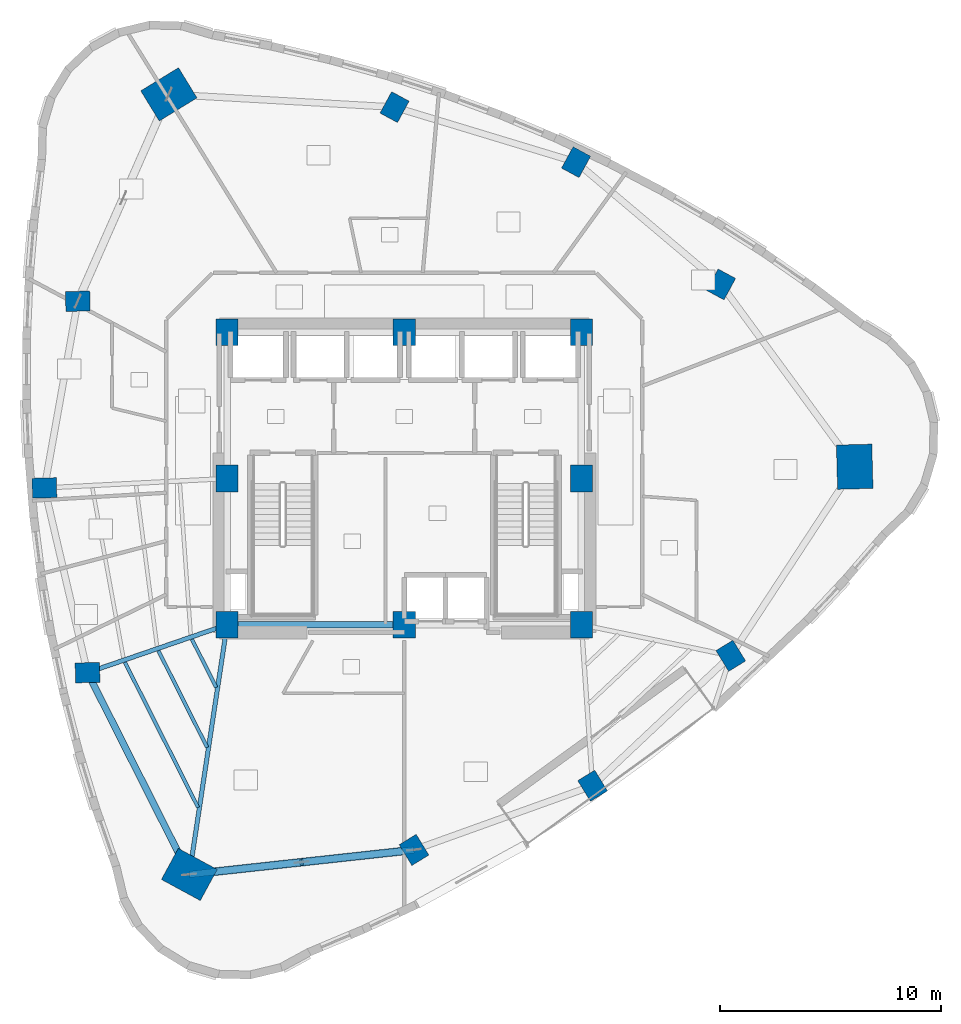
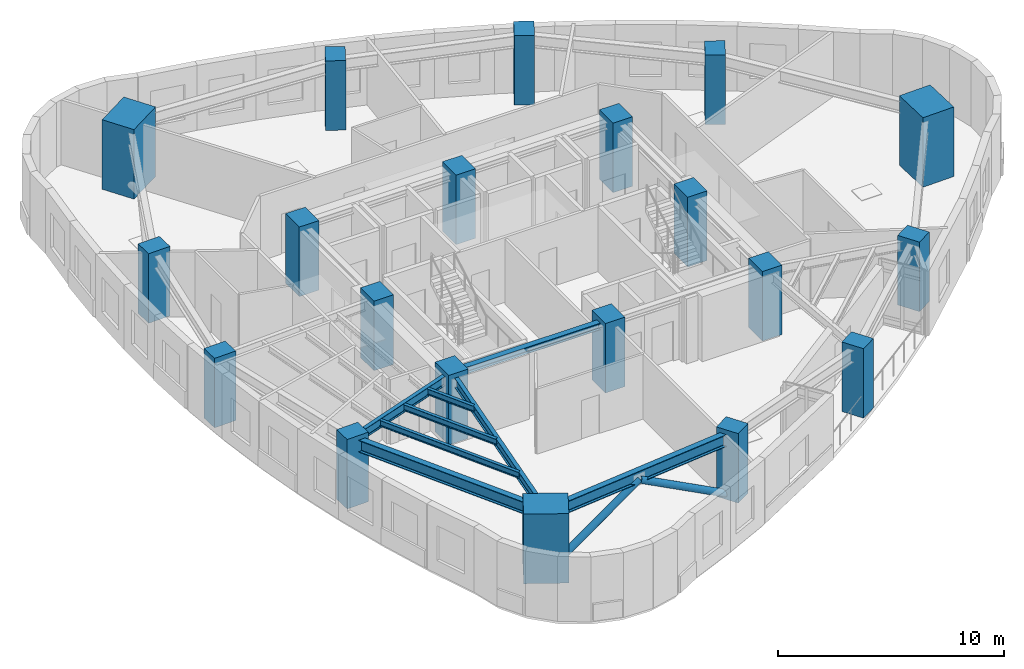
# One storey, part 1 of 12: 20 columns, 8 beams, 2 members.
"""IFC4 building model written with IfcOpenShell, lengths in metres."""

import ifcopenshell
import ifcopenshell.guid

model = None  # the IFC model being written
_history = None  # IfcOwnerHistory: only IFC2X3 demands one
_inside = {}  # id of a spatial element -> (the spatial element, [elements in it])
_under = {}  # id of a project, library or spatial element -> (it, [spatial elements below it])
_declared = {}  # id of a project -> (the project, [libraries it declares])
_typed = {}  # id of a type object -> (the type object, [elements of that type])
_made_of = {}  # id of a material, layer set ... -> (it, [elements and type objects made of it])


def new_model(schema):
    """Start an empty IFC model of exactly this schema.

    Asked for "IFC4X3", IfcOpenShell would pick the latest addendum, in which some entities
    have other attributes; the version numbers below select the first issue.
    IFC2X3 requires an IfcOwnerHistory on every rooted entity: one is made here for all.
    """
    global model, _history
    if schema == "IFC4X3":
        model = ifcopenshell.file(schema_version=(4, 3, 0, 0))
    else:
        model = ifcopenshell.file(schema=schema)
    _inside.clear()
    _under.clear()
    _declared.clear()
    _typed.clear()
    _made_of.clear()
    _history = None
    if model.schema == "IFC2X3":
        org = make("IfcOrganization", Name="unknown")
        user = make(
            "IfcPersonAndOrganization",
            ThePerson=make("IfcPerson", FamilyName="unknown"),
            TheOrganization=org,
        )
        app = make(
            "IfcApplication",
            ApplicationDeveloper=org,
            Version="unknown",
            ApplicationFullName="unknown",
            ApplicationIdentifier="unknown",
        )
        _history = make(
            "IfcOwnerHistory",
            OwningUser=user,
            OwningApplication=app,
            ChangeAction="ADDED",
            CreationDate=0,
        )
    return model


def make(cls, **values):
    """One entity of the class cls with the attributes given. An attribute that is None is left unset."""
    return model.create_entity(
        cls, **{name: value for name, value in values.items() if value is not None}
    )


def rooted(cls, **values):
    """An entity with a GlobalId (a new one), such as an element, a storey or a relation."""
    return make(cls, GlobalId=ifcopenshell.guid.new(), OwnerHistory=_history, **values)


def si_unit(unit_type, name, prefix=None):
    """IfcSIUnit, for example si_unit("LENGTHUNIT", "METRE", prefix="MILLI")."""
    return make("IfcSIUnit", UnitType=unit_type, Prefix=prefix, Name=name)


def assignment(units):
    """IfcUnitAssignment: the units of a project."""
    return None if units is None else make("IfcUnitAssignment", Units=units)


def point(xyz):
    """IfcCartesianPoint."""
    return None if xyz is None else make("IfcCartesianPoint", Coordinates=xyz)


def direction(xyz):
    """IfcDirection."""
    return None if xyz is None else make("IfcDirection", DirectionRatios=xyz)


def frame(location, z_axis=None, x_axis=None):
    """IfcAxis2Placement3D, a coordinate frame: its origin and axes. An axis left out is left unset."""
    return make(
        "IfcAxis2Placement3D",
        Location=point(location),
        Axis=direction(z_axis),
        RefDirection=direction(x_axis),
    )


def frame_2d(location, x_axis=None):
    """IfcAxis2Placement2D, a coordinate frame in the plane: its origin and x axis."""
    return make(
        "IfcAxis2Placement2D", Location=point(location), RefDirection=direction(x_axis)
    )


def origin():
    """The frame at (0, 0, 0) with its axes left unset."""
    return frame((0.0, 0.0, 0.0))


def origin_2d():
    """The frame at (0, 0) in the plane with its x axis left unset."""
    return frame_2d((0.0, 0.0))


def place(relative_to, where):
    """IfcLocalPlacement: puts the frame where relative to a parent placement (None: the world)."""
    return make(
        "IfcLocalPlacement", PlacementRelTo=relative_to, RelativePlacement=where
    )


def context(
    kind, dimensions, precision=None, world=None, true_north=None, identifier=None
):
    """IfcGeometricRepresentationContext, for example the 3D "Model" context."""
    return make(
        "IfcGeometricRepresentationContext",
        ContextIdentifier=identifier,
        ContextType=kind,
        CoordinateSpaceDimension=dimensions,
        Precision=precision,
        WorldCoordinateSystem=world,
        TrueNorth=true_north,
    )


def subcontext(parent, identifier, kind, view, scale=None):
    """IfcGeometricRepresentationSubContext, for example "Body" below "Model"."""
    return make(
        "IfcGeometricRepresentationSubContext",
        ContextIdentifier=identifier,
        ContextType=kind,
        ParentContext=parent,
        TargetScale=scale,
        TargetView=view,
    )


def project(units=None, contexts=None):
    """IfcProject with its units and contexts."""
    return rooted(
        "IfcProject",
        Name="project",
        RepresentationContexts=contexts,
        UnitsInContext=assignment(units),
    )


def spatial(cls, under=None, at=None, **own):
    """A site, building, storey or space (cls), placed at a placement, below another one or the project."""
    s = rooted(cls, ObjectPlacement=at, **own)
    if under is not None:
        _under.setdefault(under.id(), (under, []))[1].append(s)
    return s


def profile(cls, at=None, kind="AREA", **sizes):
    """A parametric profile (cls). Its sizes go by their IFC names, for example OverallWidth=200.0."""
    return make(cls, ProfileType=kind, Position=at, **sizes)


def rectangle(**sizes):
    """IfcRectangleProfileDef."""
    return profile("IfcRectangleProfileDef", **sizes)


def hollow_circle(**sizes):
    """IfcCircleHollowProfileDef."""
    return profile("IfcCircleHollowProfileDef", **sizes)


def i_section(**sizes):
    """IfcIShapeProfileDef."""
    return profile("IfcIShapeProfileDef", **sizes)


def extrude(swept, where, along, depth):
    """IfcExtrudedAreaSolid: the profile swept, set in the frame where, extruded along a direction by depth."""
    return make(
        "IfcExtrudedAreaSolid",
        SweptArea=swept,
        Position=where,
        ExtrudedDirection=direction(along),
        Depth=depth,
    )


def shape(context_of_items, identifier, shape_type, items):
    """IfcShapeRepresentation: the items that make up one representation, for example the "Body"."""
    return make(
        "IfcShapeRepresentation",
        ContextOfItems=context_of_items,
        RepresentationIdentifier=identifier,
        RepresentationType=shape_type,
        Items=items,
    )


def material(Name=None, Category=None):
    """IfcMaterial."""
    return make("IfcMaterial", Name=Name, Category=Category)


def material_profile(
    of_material, cross_section, Name=None, Category=None, Priority=None
):
    """IfcMaterialProfile: a cross section and its material."""
    return make(
        "IfcMaterialProfile",
        Name=Name,
        Material=of_material,
        Profile=cross_section,
        Priority=Priority,
        Category=Category,
    )


def profile_set(profiles, Name=None, composite=None):
    """IfcMaterialProfileSet."""
    return make(
        "IfcMaterialProfileSet",
        Name=Name,
        MaterialProfiles=profiles,
        CompositeProfile=composite,
    )


def made_of(thing, what):
    """Note that an element or type object is made of a material, layer set ...; save() writes the relation."""
    if what is not None:
        _made_of.setdefault(what.id(), (what, []))[1].append(thing)
    return thing


def type_object(cls, material=None, **own):
    """A type object (cls), such as IfcWallType, which elements share."""
    return made_of(rooted(cls, **own), material)


def element(
    cls,
    number,
    at=None,
    inside=None,
    cuts=None,
    type_object=None,
    material=None,
    context=None,
    identifier="Body",
    shape_type=None,
    held_by="IfcProductDefinitionShape",
    body=None,
    shapes=None,
    **own,
):
    """One element of the class cls, such as IfcWall. Its Tag is "e" and its number.

    at: its placement. inside: the storey or other place that contains it. cuts: it is an
    opening in that element (IfcRelVoidsElement). A single representation is given by context,
    identifier, shape_type and body (its items); several are given by shapes. held_by: the class
    of the entity that holds the representations. save() writes the other relations.
    """
    e = rooted(cls, Tag="e%d" % number, ObjectPlacement=at, **own)
    if body is not None:
        shapes = [shape(context, identifier, shape_type, body)]
    if shapes is not None:
        e.Representation = make(held_by, Representations=shapes)
    if inside is not None:
        _inside.setdefault(inside.id(), (inside, []))[1].append(e)
    if cuts is not None:
        rooted(
            "IfcRelVoidsElement", RelatingBuildingElement=cuts, RelatedOpeningElement=e
        )
    if type_object is not None:
        _typed.setdefault(type_object.id(), (type_object, []))[1].append(e)
    return made_of(e, material)


def aggregate(whole, parts):
    """IfcRelAggregates: a whole, such as a stair, and the parts it consists of."""
    return rooted("IfcRelAggregates", RelatingObject=whole, RelatedObjects=parts)


def save(model, path):
    """Write the relations noted so far, then the file.

    IfcRelAggregates (storeys below a building ...), IfcRelContainedInSpatialStructure (elements
    in a storey), IfcRelDefinesByType, IfcRelAssociatesMaterial and IfcRelDeclares: one each for
    every whole, place, type object, material and project.
    """
    for whole, parts in _under.values():
        aggregate(whole, parts)
    for where, things in _inside.values():
        rooted(
            "IfcRelContainedInSpatialStructure",
            RelatedElements=things,
            RelatingStructure=where,
        )
    for kind, things in _typed.values():
        rooted("IfcRelDefinesByType", RelatedObjects=things, RelatingType=kind)
    for what, things in _made_of.values():
        rooted("IfcRelAssociatesMaterial", RelatedObjects=things, RelatingMaterial=what)
    for by, libraries in _declared.values():
        rooted("IfcRelDeclares", RelatingContext=by, RelatedDefinitions=libraries)
    model.write(path)


model = new_model("IFC4")

# Units and contexts
model_context = context("Model", 3, precision=1e-05, world=origin(), true_north=direction((0.0, 1.0)))
body_context = subcontext(model_context, "Body", "Model", "MODEL_VIEW")
ifc_project = project(units=[si_unit("LENGTHUNIT", "METRE"), si_unit("AREAUNIT", "SQUARE_METRE"), si_unit("VOLUMEUNIT", "CUBIC_METRE"), si_unit("PLANEANGLEUNIT", "RADIAN"), si_unit("MASSUNIT", "GRAM", prefix="KILO")], contexts=[model_context])

# Site, building, storey
site_placement = place(None, origin())
site = spatial("IfcSite", under=ifc_project, at=site_placement, CompositionType="ELEMENT")
building_placement = place(site_placement, origin())
building = spatial("IfcBuilding", under=site, at=building_placement, Name="Ndelora Gate Hotel", CompositionType="ELEMENT")
storey_placement = place(building_placement, frame((0.0, 0.0, 149.75)))
storey = spatial("IfcBuildingStorey", under=building, at=storey_placement, Name="L37", CompositionType="ELEMENT", Elevation=149.75)

# Columns
ifc_material_1 = material(Name="Concrete C60/75", Category="concrete")
ifc_material_profile_1 = material_profile(ifc_material_1, rectangle(XDim=1.0, YDim=1.199951171875, at=origin_2d()), Name="RC 1200x1000")
ifc_profile_set_1 = profile_set([ifc_material_profile_1], Name="Concrete C60/75")
column_type_1 = type_object("IfcColumnType", Name="COL-CC-MID", PredefinedType="COLUMN", material=ifc_profile_set_1)
for number, where, z_axis, x_axis, name in (
    (1, (-8.0, -6.60009765625, 0.0), (0.0, 0.0, 1.0), (1.0, 0.0, 0.0), "L37 Core Column CC1"),
    (2, (0.0, -6.60009765625, 0.0), (0.0, 0.0, 1.0), (1.0, 0.0, 0.0), "L37 Core Column CC2"),
    (3, (8.0, -6.60009765625, 0.0), (0.0, 0.0, 1.0), (1.0, 0.0, 0.0), "L37 Core Column CC3"),
    (4, (8.0, 0.0, 0.0), (0.0, 0.0, 1.0), (1.0, 0.0, 0.0), "L37 Core Column CC4"),
    (5, (8.0, 6.60009765625, 0.0), (0.0, 0.0, 1.0), (1.0, 0.0, 0.0), "L37 Core Column CC5"),
    (6, (0.0, 6.60009765625, 0.0), (0.0, 0.0, 1.0), (1.0, 0.0, 0.0), "L37 Core Column CC6"),
    (7, (-8.0, 6.60009765625, 0.0), (0.0, 0.0, 1.0), (1.0, 0.0, 0.0), "L37 Core Column CC7"),
    (8, (-8.0, 0.0, 0.0), (0.0, 0.0, 1.0), (1.0, 0.0, 0.0), "L37 Core Column CC8"),
):
    element("IfcColumn", number, at=place(storey_placement, frame(where, z_axis=z_axis, x_axis=x_axis)), inside=storey, type_object=column_type_1, Name=name, PredefinedType="COLUMN", context=body_context, shape_type="SweptSolid", body=[
        extrude(rectangle(XDim=1.0, YDim=1.199951171875, at=origin_2d()), origin(), (0.0, 0.0, 1.0), 3.75),
    ])
ifc_material_profile_2 = material_profile(ifc_material_1, rectangle(XDim=1.60009765625, YDim=2.0, at=origin_2d()), Name="RC 2000x1600")
ifc_profile_set_2 = profile_set([ifc_material_profile_2], Name="Concrete C60/75")
column_type_2 = type_object("IfcColumnType", Name="COL-MC-Z2", PredefinedType="COLUMN", material=ifc_profile_set_2)
for number, where, z_axis, x_axis, name in (
    (9, (-10.63330078125, 17.351806640625, 0.0), (0.0, 0.0, 1.0), (-0.522498564716, 0.852640164354, 0.0), "L37 Corner Mega-Column R1"),
    (10, (-9.71044921875, -17.884521484375, 0.0), (0.0, 0.0, 1.0), (0.47715876026, 0.878817112662, 0.0), "L37 Corner Mega-Column R5"),
    (11, (20.34375, 0.53271484375, 0.0), (0.0, 0.0, 1.0), (0.999657324976, 0.026176948308, 0.0), "L37 Corner Mega-Column R9"),
):
    element("IfcColumn", number, at=place(storey_placement, frame(where, z_axis=z_axis, x_axis=x_axis)), inside=storey, type_object=column_type_2, Name=name, PredefinedType="COLUMN", context=body_context, shape_type="SweptSolid", body=[
        extrude(rectangle(XDim=1.60009765625, YDim=2.0, at=origin_2d()), origin(), (0.0, 0.0, 1.0), 3.75),
    ])
ifc_material_profile_3 = material_profile(ifc_material_1, rectangle(XDim=0.89990234375, YDim=1.10009765625, at=origin_2d()), Name="RC 1100x900")
ifc_profile_set_3 = profile_set([ifc_material_profile_3], Name="Concrete C60/75")
column_type_3 = type_object("IfcColumnType", Name="COL-PT-Z2", PredefinedType="COLUMN", material=ifc_profile_set_3)
for number, where, z_axis, x_axis, name in (
    (12, (-14.74658203125, 8.006591796875, 0.0), (0.0, 0.0, 1.0), (-0.026176948308, 0.999657324976, 0.0), "L37 Perimeter Tube Column R2"),
    (13, (-16.25537109375, -0.42578125, 0.0), (0.0, 0.0, 1.0), (-0.026176948308, 0.999657324976, 0.0), "L37 Perimeter Tube Column R3"),
    (14, (-14.307373046875, -8.767578125, 0.0), (0.0, 0.0, 1.0), (-0.026176948308, 0.999657324976, 0.0), "L37 Perimeter Tube Column R4"),
    (15, (0.439208984375, -16.7744140625, 0.0), (0.0, 0.0, 1.0), (0.852640164354, 0.522498564716, 0.0), "L37 Perimeter Tube Column R6"),
    (16, (8.50439453125, -13.878173828125, 0.0), (0.0, 0.0, 1.0), (0.852640164354, 0.522498564716, 0.0), "L37 Perimeter Tube Column R7"),
    (17, (14.74658203125, -8.006591796875, 0.0), (0.0, 0.0, 1.0), (0.852640164354, 0.522498564716, 0.0), "L37 Perimeter Tube Column R8"),
    (18, (14.30712890625, 8.767333984375, 0.0), (0.0, 0.0, 1.0), (-0.878817112662, 0.47715876026, 0.0), "L37 Perimeter Tube Column R10"),
    (19, (7.759033203125, 14.290283203125, 0.0), (0.0, 0.0, 1.0), (-0.878817112662, 0.47715876026, 0.0), "L37 Perimeter Tube Column R11"),
    (20, (-0.439208984375, 16.7744140625, 0.0), (0.0, 0.0, 1.0), (-0.878817112662, 0.47715876026, 0.0), "L37 Perimeter Tube Column R12"),
):
    element("IfcColumn", number, at=place(storey_placement, frame(where, z_axis=z_axis, x_axis=x_axis)), inside=storey, type_object=column_type_3, Name=name, PredefinedType="COLUMN", context=body_context, shape_type="SweptSolid", body=[
        extrude(rectangle(XDim=0.89990234375, YDim=1.10009765625, at=origin_2d()), origin(), (0.0, 0.0, 1.0), 3.75),
    ])

# Beams
ifc_material_2 = material(Name="Steel S355", Category="steel")
ifc_material_profile_4 = material_profile(ifc_material_2, i_section(OverallWidth=0.300048828125, OverallDepth=0.360107421875, WebThickness=0.012451171875, FlangeThickness=0.0224609375, FilletRadius=0.027099609375, at=origin_2d()), Name="HEB 360")
ifc_profile_set_4 = profile_set([ifc_material_profile_4], Name="Steel S355")
beam_type_1 = type_object("IfcBeamType", Name="BM-CORE-360", PredefinedType="BEAM", material=ifc_profile_set_4)
beam_1_placement = place(storey_placement, frame((-8.0, -6.60009765625, 3.320068359375), z_axis=(1.0, 0.0, 0.0), x_axis=(0.0, 1.0, 0.0)))
element("IfcBeam", 21, at=beam_1_placement, inside=storey, type_object=beam_type_1, Name="L37 Core Tie Girder CC1-CC2", PredefinedType="BEAM", context=body_context, shape_type="SweptSolid", body=[
    extrude(i_section(OverallWidth=0.300048828125, OverallDepth=0.360107421875, WebThickness=0.012451171875, FlangeThickness=0.0224609375, FilletRadius=0.027099609375, at=origin_2d()), origin(), (0.0, 0.0, 1.0), 8.0),
])
ifc_material_profile_5 = material_profile(ifc_material_2, i_section(OverallWidth=0.159912109375, OverallDepth=0.330078125, WebThickness=0.007568359375, FlangeThickness=0.011474609375, FilletRadius=0.01806640625, at=origin_2d()), Name="IPE 330")
ifc_profile_set_5 = profile_set([ifc_material_profile_5], Name="Steel S355")
beam_type_2 = type_object("IfcBeamType", Name="BM-JST-330", PredefinedType="JOIST", material=ifc_profile_set_5)
beam_2_placement = place(storey_placement, frame((-9.59033203125, -7.26171875, 3.3349609375), z_axis=(0.450139260243, -0.892958367668, 0.0), x_axis=(0.892958367668, 0.450139260243, 0.0)))
element("IfcBeam", 22, at=beam_2_placement, inside=storey, type_object=beam_type_2, Name="L37 Secondary Composite Floor Joist IN-4", PredefinedType="JOIST", context=body_context, shape_type="SweptSolid", body=[
    extrude(i_section(OverallWidth=0.159912109375, OverallDepth=0.330078125, WebThickness=0.007568359375, FlangeThickness=0.011474609375, FilletRadius=0.01806640625, at=origin_2d()), origin(), (0.0, 0.0, 1.0), 2.4345703125),
])
beam_3_placement = place(storey_placement, frame((-11.10400390625, -7.781982421875, 3.3349609375), z_axis=(0.450189724408, -0.892932926953, 0.0), x_axis=(0.892932926953, 0.450189724408, 0.0)))
element("IfcBeam", 23, at=beam_3_placement, inside=storey, type_object=beam_type_2, Name="L37 Secondary Composite Floor Joist MID-4", PredefinedType="JOIST", context=body_context, shape_type="SweptSolid", body=[
    extrude(i_section(OverallWidth=0.159912109375, OverallDepth=0.330078125, WebThickness=0.007568359375, FlangeThickness=0.011474609375, FilletRadius=0.01806640625, at=origin_2d()), origin(), (0.0, 0.0, 1.0), 4.885009765625),
])
beam_4_placement = place(storey_placement, frame((-12.617919921875, -8.30224609375, 3.3349609375), z_axis=(0.45023300903, -0.892911102843, 0.0), x_axis=(0.892911102843, 0.45023300903, 0.0)))
element("IfcBeam", 24, at=beam_4_placement, inside=storey, type_object=beam_type_2, Name="L37 Secondary Composite Floor Joist OUT-4", PredefinedType="JOIST", context=body_context, shape_type="SweptSolid", body=[
    extrude(i_section(OverallWidth=0.159912109375, OverallDepth=0.330078125, WebThickness=0.007568359375, FlangeThickness=0.011474609375, FilletRadius=0.01806640625, at=origin_2d()), origin(), (0.0, 0.0, 1.0), 7.335693359375),
])
ifc_material_profile_6 = material_profile(ifc_material_2, i_section(OverallWidth=0.199951171875, OverallDepth=0.5, WebThickness=0.01025390625, FlangeThickness=0.01611328125, FilletRadius=0.02099609375, at=origin_2d()), Name="IPE 500")
ifc_profile_set_6 = profile_set([ifc_material_profile_6], Name="Steel S355")
beam_type_3 = type_object("IfcBeamType", Name="BM-RAD-500", PredefinedType="BEAM", material=ifc_profile_set_6)
beam_5_placement = place(storey_placement, frame((-8.0, -6.60009765625, 3.25), z_axis=(-0.945717893913, -0.324988715392, 0.0), x_axis=(0.324988715392, -0.945717893913, 0.0)))
element("IfcBeam", 25, at=beam_5_placement, inside=storey, type_object=beam_type_3, Name="L37 Radial Floor Girder 4", PredefinedType="BEAM", context=body_context, shape_type="SweptSolid", body=[
    extrude(i_section(OverallWidth=0.199951171875, OverallDepth=0.5, WebThickness=0.01025390625, FlangeThickness=0.01611328125, FilletRadius=0.02099609375, at=origin_2d()), origin(), (0.0, 0.0, 1.0), 6.66943359375),
])
beam_6_placement = place(storey_placement, frame((-8.0, -6.60009765625, 3.25), z_axis=(-0.149864309615, -0.988706573612, 0.0), x_axis=(0.988706573612, -0.149864309615, 0.0)))
element("IfcBeam", 26, at=beam_6_placement, inside=storey, type_object=beam_type_3, Name="L37 Radial Floor Girder 5", PredefinedType="BEAM", context=body_context, shape_type="SweptSolid", body=[
    extrude(i_section(OverallWidth=0.199951171875, OverallDepth=0.5, WebThickness=0.01025390625, FlangeThickness=0.01611328125, FilletRadius=0.02099609375, at=origin_2d()), origin(), (0.0, 0.0, 1.0), 11.413330078125),
])
ifc_material_profile_7 = material_profile(ifc_material_2, i_section(OverallWidth=0.300048828125, OverallDepth=0.64990234375, WebThickness=0.01611328125, FlangeThickness=0.031005859375, FilletRadius=0.027099609375, at=origin_2d()), Name="HEB 650")
ifc_profile_set_7 = profile_set([ifc_material_profile_7], Name="Steel S355")
beam_type_4 = type_object("IfcBeamType", Name="BM-RING-650", PredefinedType="SPANDREL", material=ifc_profile_set_7)
for number, where, z_axis, x_axis, name in (
    (27, (-14.307373046875, -8.767578125, 3.175048828125), (0.450223868811, -0.892915711561, 0.0), (0.892915711561, 0.450223868811, 0.0), "L37 Perimeter Spandrel Girder 4"),
    (28, (-9.71044921875, -17.884521484375, 3.175048828125), (0.994071812898, 0.108725483685, 0.0), (-0.108725483685, 0.994071812898, 0.0), "L37 Perimeter Spandrel Girder 5"),
):
    element("IfcBeam", number, at=place(storey_placement, frame(where, z_axis=z_axis, x_axis=x_axis)), inside=storey, type_object=beam_type_4, Name=name, PredefinedType="SPANDREL", context=body_context, shape_type="SweptSolid", body=[
        extrude(i_section(OverallWidth=0.300048828125, OverallDepth=0.64990234375, WebThickness=0.01611328125, FlangeThickness=0.031005859375, FilletRadius=0.027099609375, at=origin_2d()), origin(), (0.0, 0.0, 1.0), 10.210205078125),
    ])

# Members
ifc_material_profile_8 = material_profile(ifc_material_2, hollow_circle(Radius=0.177978515625, WallThickness=0.01611328125, at=origin_2d()), Name="CHS 356x16")
ifc_profile_set_8 = profile_set([ifc_material_profile_8], Name="Steel S355")
member_type = type_object("IfcMemberType", Name="MB-TUBE-356", PredefinedType="BRACE", material=ifc_profile_set_8)
member_1_placement = place(storey_placement, frame((-9.71044921875, -17.884521484375, 0.02001953125), z_axis=(0.862164358584, 0.094279783848, 0.497779008341), x_axis=(-0.108704438667, 0.994074114447, 0.0)))
element("IfcMember", 29, at=member_1_placement, inside=storey, type_object=member_type, Name="L37 Perimeter Braced-Tube Diagonal 5A", PredefinedType="BRACE", context=body_context, shape_type="SweptSolid", body=[
    extrude(hollow_circle(Radius=0.177978515625, WallThickness=0.01611328125, at=origin_2d()), origin(), (0.0, 0.0, 1.0), 5.885986328125),
])
member_2_placement = place(storey_placement, frame((0.439208984375, -16.7744140625, 0.02001953125), z_axis=(-0.862171632255, -0.094317520169, 0.497759261013), x_axis=(0.108746527545, -0.994069511024, 0.0)))
element("IfcMember", 30, at=member_2_placement, inside=storey, type_object=member_type, Name="L37 Perimeter Braced-Tube Diagonal 5B", PredefinedType="BRACE", context=body_context, shape_type="SweptSolid", body=[
    extrude(hollow_circle(Radius=0.177978515625, WallThickness=0.01611328125, at=origin_2d()), origin(), (0.0, 0.0, 1.0), 5.88623046875),
])

save(model, "model.ifc")
